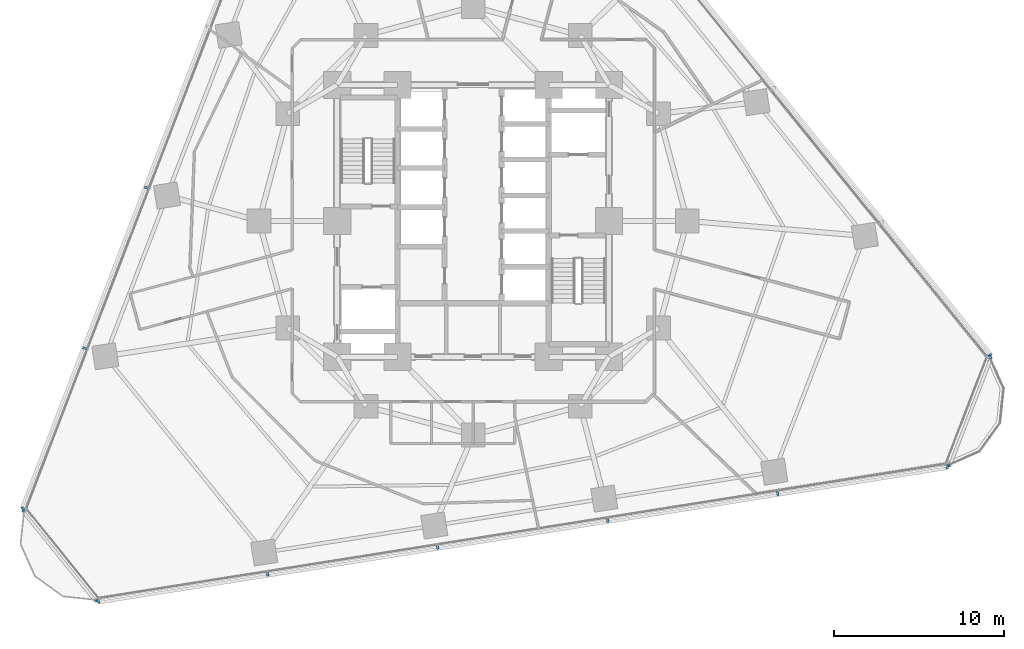
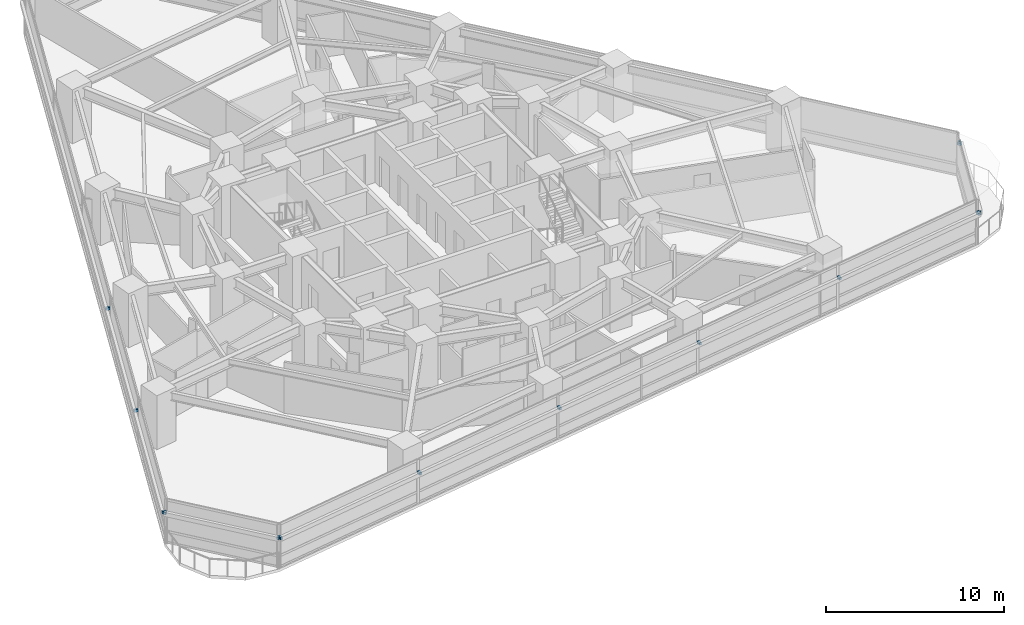
# One storey, part 10 of 14: 14 discrete accessories.
"""IFC4 building model written with IfcOpenShell, lengths in metres."""

from ifc_helpers import new_model, si_unit, direction, frame, origin, origin_2d, place, context, subcontext, project, spatial, rectangle, extrude, material, type_object, element, save


model = new_model("IFC4")

# Units and contexts
model_context = context("Model", 3, precision=1e-05, world=origin(), true_north=direction((0.0, 1.0)))
body_context = subcontext(model_context, "Body", "Model", "MODEL_VIEW")
ifc_project = project(units=[si_unit("LENGTHUNIT", "METRE"), si_unit("AREAUNIT", "SQUARE_METRE"), si_unit("VOLUMEUNIT", "CUBIC_METRE"), si_unit("PLANEANGLEUNIT", "RADIAN"), si_unit("MASSUNIT", "GRAM", prefix="KILO")], contexts=[model_context])

# Site, building, storey
site_placement = place(None, origin())
site = spatial("IfcSite", under=ifc_project, at=site_placement, CompositionType="ELEMENT")
building_placement = place(site_placement, origin())
building = spatial("IfcBuilding", under=site, at=building_placement, Name="Terralouvre Media Tower", CompositionType="ELEMENT")
storey_placement = place(building_placement, frame((0.0, 0.0, 74.10009765625)))
storey = spatial("IfcBuildingStorey", under=building, at=storey_placement, Name="L18", CompositionType="ELEMENT", Elevation=74.10009765625)

# Discrete accessories
ifc_material = material(Name="Anodised extruded aluminium 6063-T6", Category="aluminium")
discrete_accessory_type = type_object("IfcDiscreteAccessoryType", Name="Mullion Stand-Off Baguette Fixing Bracket BK-01", PredefinedType="BRACKET", material=ifc_material)
for number, where, z_axis, x_axis, name in (
    (1, (-22.055419921875, -22.364013671875, 2.07373046875), (0.0, 0.0, 1.0), (0.987688340934, 0.156434462903, 0.0), "CW-L18-F0 Baguette Outrigger Bracket 1.01"),
    (2, (-12.08935546875, -20.78564453125, 2.07373046875), (0.0, 0.0, 1.0), (0.987688340934, 0.156434462903, 0.0), "CW-L18-F0 Baguette Outrigger Bracket 1.02"),
    (3, (-2.0859375, -19.201171875, 2.07373046875), (0.0, 0.0, 1.0), (0.987688340934, 0.156434462903, 0.0), "CW-L18-F0 Baguette Outrigger Bracket 1.03"),
    (4, (7.91748046875, -17.616943359375, 2.07373046875), (0.0, 0.0, 1.0), (0.987688340934, 0.156434462903, 0.0), "CW-L18-F0 Baguette Outrigger Bracket 1.04"),
    (5, (17.920654296875, -16.032470703125, 2.07373046875), (0.0, 0.0, 1.0), (0.987688340934, 0.156434462903, 0.0), "CW-L18-F0 Baguette Outrigger Bracket 1.05"),
    (6, (27.886962890625, -14.4541015625, 2.07373046875), (0.0, 0.0, 1.0), (0.987688340934, 0.156434462903, 0.0), "CW-L18-F0 Baguette Outrigger Bracket 1.06"),
    (7, (30.395751953125, -7.918701171875, 2.07373046875), (0.0, 0.0, 1.0), (-0.629320350521, 0.777145994276, 0.0), "CW-L18-F1 Baguette Outrigger Bracket 1.01"),
    (8, (-19.21533203125, 1.951904296875, 2.07373046875), (0.0, 0.0, 1.0), (-0.358367917006, -0.933580438988, 0.0), "CW-L18-F2 Baguette Outrigger Bracket 1.04"),
    (9, (-22.844970703125, -7.50341796875, 2.07373046875), (0.0, 0.0, 1.0), (-0.358367917006, -0.933580438988, 0.0), "CW-L18-F2 Baguette Outrigger Bracket 1.05"),
    (10, (-26.4609375, -16.923828125, 2.07373046875), (0.0, 0.0, 1.0), (-0.358367917006, -0.933580438988, 0.0), "CW-L18-F2 Baguette Outrigger Bracket 1.06"),
    (11, (-26.428955078125, -17.014892578125, 2.07373046875), (0.0, 0.0, 1.0), (0.629320031936, -0.777146252262, 0.0), "CW-L18-C0 Baguette Outrigger Bracket 1.01"),
    (12, (-22.137939453125, -22.31396484375, 2.07373046875), (0.0, 0.0, 1.0), (0.629320031936, -0.777146252262, 0.0), "CW-L18-C0 Baguette Outrigger Bracket 1.02"),
    (13, (27.949951171875, -14.380859375, 2.07373046875), (0.0, 0.0, 1.0), (0.358367472863, 0.933580609478, 0.0), "CW-L18-C1 Baguette Outrigger Bracket 1.01"),
    (14, (30.393310546875, -8.01513671875, 2.07373046875), (0.0, 0.0, 1.0), (0.358367472863, 0.933580609478, 0.0), "CW-L18-C1 Baguette Outrigger Bracket 1.02"),
):
    element("IfcDiscreteAccessory", number, at=place(storey_placement, frame(where, z_axis=z_axis, x_axis=x_axis)), inside=storey, type_object=discrete_accessory_type, Name=name, PredefinedType="BRACKET", context=body_context, shape_type="SweptSolid", body=[
        extrude(rectangle(XDim=0.139892578125, YDim=0.239990234375, at=origin_2d()), origin(), (0.0, 0.0, 1.0), 0.179931640625),
    ])

save(model, "model.ifc")
